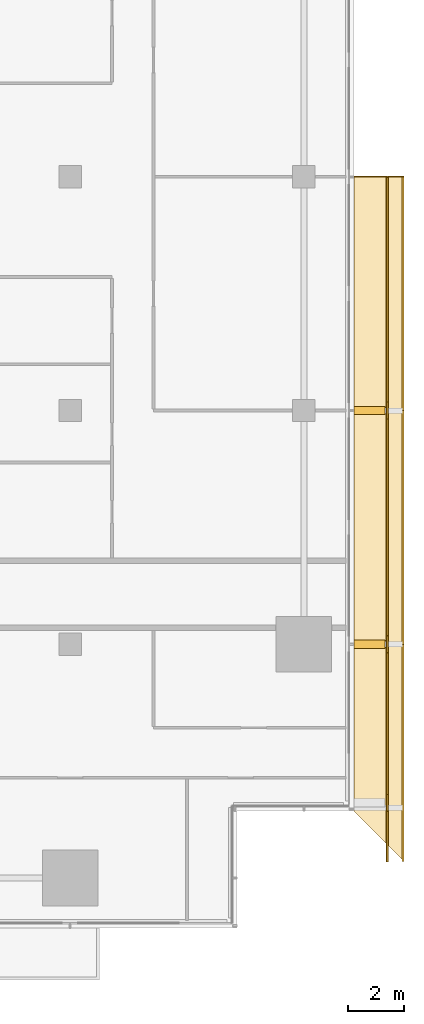
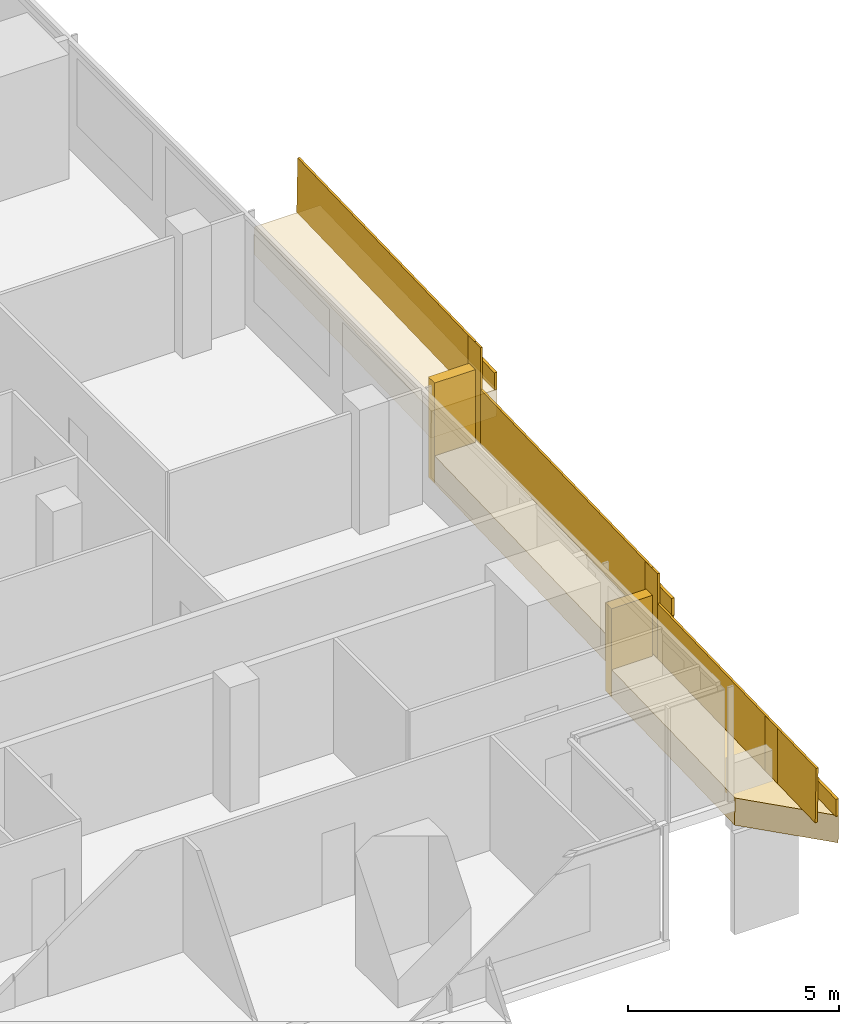
# One storey, part 27 of 27: 8 coverings, 6 railings.
"""IFC4 building model written with IfcOpenShell, lengths in metres."""

import ifcopenshell
import ifcopenshell.guid

model = None  # the IFC model being written
_history = None  # IfcOwnerHistory: only IFC2X3 demands one
_inside = {}  # id of a spatial element -> (the spatial element, [elements in it])
_under = {}  # id of a project, library or spatial element -> (it, [spatial elements below it])
_declared = {}  # id of a project -> (the project, [libraries it declares])
_typed = {}  # id of a type object -> (the type object, [elements of that type])
_made_of = {}  # id of a material, layer set ... -> (it, [elements and type objects made of it])


def new_model(schema):
    """Start an empty IFC model of exactly this schema.

    Asked for "IFC4X3", IfcOpenShell would pick the latest addendum, in which some entities
    have other attributes; the version numbers below select the first issue.
    IFC2X3 requires an IfcOwnerHistory on every rooted entity: one is made here for all.
    """
    global model, _history
    if schema == "IFC4X3":
        model = ifcopenshell.file(schema_version=(4, 3, 0, 0))
    else:
        model = ifcopenshell.file(schema=schema)
    _inside.clear()
    _under.clear()
    _declared.clear()
    _typed.clear()
    _made_of.clear()
    _history = None
    if model.schema == "IFC2X3":
        org = make("IfcOrganization", Name="unknown")
        user = make(
            "IfcPersonAndOrganization",
            ThePerson=make("IfcPerson", FamilyName="unknown"),
            TheOrganization=org,
        )
        app = make(
            "IfcApplication",
            ApplicationDeveloper=org,
            Version="unknown",
            ApplicationFullName="unknown",
            ApplicationIdentifier="unknown",
        )
        _history = make(
            "IfcOwnerHistory",
            OwningUser=user,
            OwningApplication=app,
            ChangeAction="ADDED",
            CreationDate=0,
        )
    return model


def make(cls, **values):
    """One entity of the class cls with the attributes given. An attribute that is None is left unset."""
    return model.create_entity(
        cls, **{name: value for name, value in values.items() if value is not None}
    )


def rooted(cls, **values):
    """An entity with a GlobalId (a new one), such as an element, a storey or a relation."""
    return make(cls, GlobalId=ifcopenshell.guid.new(), OwnerHistory=_history, **values)


def si_unit(unit_type, name, prefix=None):
    """IfcSIUnit, for example si_unit("LENGTHUNIT", "METRE", prefix="MILLI")."""
    return make("IfcSIUnit", UnitType=unit_type, Prefix=prefix, Name=name)


def assignment(units):
    """IfcUnitAssignment: the units of a project."""
    return None if units is None else make("IfcUnitAssignment", Units=units)


def point(xyz):
    """IfcCartesianPoint."""
    return None if xyz is None else make("IfcCartesianPoint", Coordinates=xyz)


def direction(xyz):
    """IfcDirection."""
    return None if xyz is None else make("IfcDirection", DirectionRatios=xyz)


def frame(location, z_axis=None, x_axis=None):
    """IfcAxis2Placement3D, a coordinate frame: its origin and axes. An axis left out is left unset."""
    return make(
        "IfcAxis2Placement3D",
        Location=point(location),
        Axis=direction(z_axis),
        RefDirection=direction(x_axis),
    )


def frame_2d(location, x_axis=None):
    """IfcAxis2Placement2D, a coordinate frame in the plane: its origin and x axis."""
    return make(
        "IfcAxis2Placement2D", Location=point(location), RefDirection=direction(x_axis)
    )


def origin():
    """The frame at (0, 0, 0) with its axes left unset."""
    return frame((0.0, 0.0, 0.0))


def origin_2d():
    """The frame at (0, 0) in the plane with its x axis left unset."""
    return frame_2d((0.0, 0.0))


def place(relative_to, where):
    """IfcLocalPlacement: puts the frame where relative to a parent placement (None: the world)."""
    return make(
        "IfcLocalPlacement", PlacementRelTo=relative_to, RelativePlacement=where
    )


def context(
    kind, dimensions, precision=None, world=None, true_north=None, identifier=None
):
    """IfcGeometricRepresentationContext, for example the 3D "Model" context."""
    return make(
        "IfcGeometricRepresentationContext",
        ContextIdentifier=identifier,
        ContextType=kind,
        CoordinateSpaceDimension=dimensions,
        Precision=precision,
        WorldCoordinateSystem=world,
        TrueNorth=true_north,
    )


def subcontext(parent, identifier, kind, view, scale=None):
    """IfcGeometricRepresentationSubContext, for example "Body" below "Model"."""
    return make(
        "IfcGeometricRepresentationSubContext",
        ContextIdentifier=identifier,
        ContextType=kind,
        ParentContext=parent,
        TargetScale=scale,
        TargetView=view,
    )


def project(units=None, contexts=None):
    """IfcProject with its units and contexts."""
    return rooted(
        "IfcProject",
        Name="project",
        RepresentationContexts=contexts,
        UnitsInContext=assignment(units),
    )


def spatial(cls, under=None, at=None, **own):
    """A site, building, storey or space (cls), placed at a placement, below another one or the project."""
    s = rooted(cls, ObjectPlacement=at, **own)
    if under is not None:
        _under.setdefault(under.id(), (under, []))[1].append(s)
    return s


def polyline(points):
    """IfcPolyline through the points."""
    return make("IfcPolyline", Points=[point(p) for p in points])


def profile(cls, at=None, kind="AREA", **sizes):
    """A parametric profile (cls). Its sizes go by their IFC names, for example OverallWidth=200.0."""
    return make(cls, ProfileType=kind, Position=at, **sizes)


def rectangle(**sizes):
    """IfcRectangleProfileDef."""
    return profile("IfcRectangleProfileDef", **sizes)


def outline(outer, holes=None, kind="AREA"):
    """IfcArbitraryClosedProfileDef: a profile drawn as a closed curve; with holes, ...WithVoids."""
    if holes is None:
        return make("IfcArbitraryClosedProfileDef", ProfileType=kind, OuterCurve=outer)
    return make(
        "IfcArbitraryProfileDefWithVoids",
        ProfileType=kind,
        OuterCurve=outer,
        InnerCurves=holes,
    )


def extrude(swept, where, along, depth):
    """IfcExtrudedAreaSolid: the profile swept, set in the frame where, extruded along a direction by depth."""
    return make(
        "IfcExtrudedAreaSolid",
        SweptArea=swept,
        Position=where,
        ExtrudedDirection=direction(along),
        Depth=depth,
    )


def shape(context_of_items, identifier, shape_type, items):
    """IfcShapeRepresentation: the items that make up one representation, for example the "Body"."""
    return make(
        "IfcShapeRepresentation",
        ContextOfItems=context_of_items,
        RepresentationIdentifier=identifier,
        RepresentationType=shape_type,
        Items=items,
    )


def material(Name=None, Category=None):
    """IfcMaterial."""
    return make("IfcMaterial", Name=Name, Category=Category)


def layer(
    of_material, thickness, ventilated=None, Name=None, Category=None, Priority=None
):
    """IfcMaterialLayer: one layer of a wall or slab, of a material (None: an air gap)."""
    return make(
        "IfcMaterialLayer",
        Material=of_material,
        LayerThickness=thickness,
        IsVentilated=ventilated,
        Name=Name,
        Category=Category,
        Priority=Priority,
    )


def layer_set(layers, Name=None):
    """IfcMaterialLayerSet."""
    return make("IfcMaterialLayerSet", MaterialLayers=layers, LayerSetName=Name)


def made_of(thing, what):
    """Note that an element or type object is made of a material, layer set ...; save() writes the relation."""
    if what is not None:
        _made_of.setdefault(what.id(), (what, []))[1].append(thing)
    return thing


def type_object(cls, material=None, **own):
    """A type object (cls), such as IfcWallType, which elements share."""
    return made_of(rooted(cls, **own), material)


def element(
    cls,
    number,
    at=None,
    inside=None,
    cuts=None,
    type_object=None,
    material=None,
    context=None,
    identifier="Body",
    shape_type=None,
    held_by="IfcProductDefinitionShape",
    body=None,
    shapes=None,
    **own,
):
    """One element of the class cls, such as IfcWall. Its Tag is "e" and its number.

    at: its placement. inside: the storey or other place that contains it. cuts: it is an
    opening in that element (IfcRelVoidsElement). A single representation is given by context,
    identifier, shape_type and body (its items); several are given by shapes. held_by: the class
    of the entity that holds the representations. save() writes the other relations.
    """
    e = rooted(cls, Tag="e%d" % number, ObjectPlacement=at, **own)
    if body is not None:
        shapes = [shape(context, identifier, shape_type, body)]
    if shapes is not None:
        e.Representation = make(held_by, Representations=shapes)
    if inside is not None:
        _inside.setdefault(inside.id(), (inside, []))[1].append(e)
    if cuts is not None:
        rooted(
            "IfcRelVoidsElement", RelatingBuildingElement=cuts, RelatedOpeningElement=e
        )
    if type_object is not None:
        _typed.setdefault(type_object.id(), (type_object, []))[1].append(e)
    return made_of(e, material)


def aggregate(whole, parts):
    """IfcRelAggregates: a whole, such as a stair, and the parts it consists of."""
    return rooted("IfcRelAggregates", RelatingObject=whole, RelatedObjects=parts)


def save(model, path):
    """Write the relations noted so far, then the file.

    IfcRelAggregates (storeys below a building ...), IfcRelContainedInSpatialStructure (elements
    in a storey), IfcRelDefinesByType, IfcRelAssociatesMaterial and IfcRelDeclares: one each for
    every whole, place, type object, material and project.
    """
    for whole, parts in _under.values():
        aggregate(whole, parts)
    for where, things in _inside.values():
        rooted(
            "IfcRelContainedInSpatialStructure",
            RelatedElements=things,
            RelatingStructure=where,
        )
    for kind, things in _typed.values():
        rooted("IfcRelDefinesByType", RelatedObjects=things, RelatingType=kind)
    for what, things in _made_of.values():
        rooted("IfcRelAssociatesMaterial", RelatedObjects=things, RelatingMaterial=what)
    for by, libraries in _declared.values():
        rooted("IfcRelDeclares", RelatingContext=by, RelatedDefinitions=libraries)
    model.write(path)


model = new_model("IFC4")

# Units and contexts
model_context = context("Model", 3, precision=1e-05, world=origin(), true_north=direction((0.0, 1.0)))
body_context = subcontext(model_context, "Body", "Model", "MODEL_VIEW")
ifc_project = project(units=[si_unit("LENGTHUNIT", "METRE"), si_unit("AREAUNIT", "SQUARE_METRE"), si_unit("VOLUMEUNIT", "CUBIC_METRE"), si_unit("PLANEANGLEUNIT", "RADIAN"), si_unit("MASSUNIT", "GRAM", prefix="KILO")], contexts=[model_context])

# Site, building, storey
site_placement = place(None, origin())
site = spatial("IfcSite", under=ifc_project, at=site_placement, CompositionType="ELEMENT")
building_placement = place(site_placement, origin())
building = spatial("IfcBuilding", under=site, at=building_placement, Name="Saffron Gate Tower", CompositionType="ELEMENT")
storey_placement = place(building_placement, frame((0.0, 0.0, 109.64990234375)))
storey = spatial("IfcBuildingStorey", under=building, at=storey_placement, Name="L25", CompositionType="ELEMENT", Elevation=109.64990234375)

# Coverings
ifc_material = material(Name="Timber, thermally modified ash", Category="wood")
ifc_layer_1 = layer(ifc_material, 0.800048828125)
ifc_layer_set_1 = layer_set([ifc_layer_1], Name="LD1 ledge timber")
covering_type_1 = type_object("IfcCoveringType", Name="LD1 ledge timber", PredefinedType="CLADDING", material=ifc_layer_set_1)
covering_1_placement = place(storey_placement, frame((127.199951171875, 34.199951171875, 0.099365234375), z_axis=(3.5027307e-05, -0.028807146299, 0.99958498743), x_axis=(3.68e-10, 0.999584988043, 0.028807146316)))
element("IfcCovering", 1, at=covering_1_placement, inside=storey, type_object=covering_type_1, Name="LEDGE", PredefinedType="CLADDING", context=body_context, shape_type="SweptSolid", body=[
    extrude(outline(polyline([(0.0, 0.0), (6.0024892885105, 2.541098841762901e-21), (6.002489289172793, -1.8000488270207489), (-1.800799813548424, -1.8000488321003227), (0.0, 0.0)])), origin(), (0.0, 0.0, -1.0), 0.800048828125),
])
covering_2_placement = place(storey_placement, frame((127.199951171875, 40.199951171875, 1.129638671875), z_axis=(0.0, -0.028790339263, 0.999585472266), x_axis=(0.0, 0.999585472266, 0.028790339263)))
element("IfcCovering", 2, at=covering_2_placement, inside=storey, type_object=covering_type_1, Name="LEDGE", PredefinedType="CLADDING", context=body_context, shape_type="SweptSolid", body=[
    extrude(outline(polyline([(0.0, 0.0), (8.403630022085892, 0.0), (8.403630022085892, -1.800048828125), (0.0, -1.800048828125), (0.0, 0.0)])), origin(), (0.0, 0.0, -1.0), 0.800048828125),
])
covering_3_placement = place(storey_placement, frame((127.199951171875, 48.60009765625, 2.57177734375), z_axis=(0.0, -0.028791175352, 0.999585448184), x_axis=(0.0, 0.999585448184, 0.028791175352)))
element("IfcCovering", 3, at=covering_3_placement, inside=storey, type_object=covering_type_1, Name="LEDGE", PredefinedType="CLADDING", context=body_context, shape_type="SweptSolid", body=[
    extrude(outline(polyline([(0.0, 0.0), (8.403385982666892, 0.0), (8.403385982666892, -1.800048828125), (0.0, -1.800048828125), (0.0, 0.0)])), origin(), (0.0, 0.0, -1.0), 0.800048828125),
])
ifc_layer_2 = layer(ifc_material, 0.080078125)
ifc_layer_set_2 = layer_set([ifc_layer_2], Name="LD2 ledge planter trough")
covering_type_2 = type_object("IfcCoveringType", Name="LD2 ledge planter trough", PredefinedType="CLADDING", material=ifc_layer_set_2)
covering_4_placement = place(storey_placement, frame((129.0, 32.39990234375, 0.04736328125), z_axis=(1.0, 0.0, 0.0), x_axis=(0.0, 0.999584755248, 0.028815222999)))
element("IfcCovering", 4, at=covering_4_placement, inside=storey, type_object=covering_type_2, Name="LEDGE planter trough", PredefinedType="CLADDING", context=body_context, shape_type="SweptSolid", body=[
    extrude(outline(polyline([(0.0, 0.0), (7.803289102975944, 0.0), (7.8176967144752565, 0.4997923776238338), (0.014407611499312996, 0.4997923776238338), (0.0, 0.0)])), origin(), (0.0, 0.0, -1.0), 0.080078125),
])
covering_5_placement = place(storey_placement, frame((129.0, 40.199951171875, 1.129638671875), z_axis=(1.0, 0.0, 0.0), x_axis=(0.0, 0.999585472266, 0.028790339263)))
element("IfcCovering", 5, at=covering_5_placement, inside=storey, type_object=covering_type_2, Name="LEDGE planter trough", PredefinedType="CLADDING", context=body_context, shape_type="SweptSolid", body=[
    extrude(outline(polyline([(0.0, 0.0), (8.403630022085892, 0.0), (8.418025191717298, 0.4997927361329725), (0.014395169631405694, 0.4997927361329725), (0.0, 0.0)])), origin(), (0.0, 0.0, -1.0), 0.080078125),
])
covering_6_placement = place(storey_placement, frame((129.0, 48.60009765625, 2.57177734375), z_axis=(1.0, 0.0, 0.0), x_axis=(0.0, 0.999585448184, 0.028791175352)))
element("IfcCovering", 6, at=covering_6_placement, inside=storey, type_object=covering_type_2, Name="LEDGE planter trough", PredefinedType="CLADDING", context=body_context, shape_type="SweptSolid", body=[
    extrude(outline(polyline([(0.0, 0.0), (8.403385982666892, 0.0), (8.417781570342743, 0.49979272409216496), (0.014395587675851172, 0.4997927240921649), (0.0, 0.0)])), origin(), (0.0, 0.0, -1.0), 0.080078125),
])
ifc_layer_3 = layer(ifc_material, 0.300048828125)
ifc_layer_set_3 = layer_set([ifc_layer_3], Name="LD3 ledge riser fin")
covering_type_3 = type_object("IfcCoveringType", Name="LD3 ledge riser fin", PredefinedType="CLADDING", material=ifc_layer_set_3)
covering_7_placement = place(storey_placement, frame((127.760009765625, 40.199951171875, -0.52783203125), z_axis=(0.0, 0.0, 1.0), x_axis=(0.0, 1.0, 0.0)))
element("IfcCovering", 7, at=covering_7_placement, inside=storey, type_object=covering_type_3, Name="LEDGE riser fin", PredefinedType="CLADDING", context=body_context, shape_type="SweptSolid", body=[
    extrude(rectangle(XDim=0.300048828125, YDim=1.1201171875, at=origin_2d()), origin(), (0.0, 0.0, 1.0), 2.557373046875),
])
covering_8_placement = place(storey_placement, frame((127.760009765625, 48.60009765625, 0.571533203125), z_axis=(0.0, 0.0, 1.0), x_axis=(0.0, 1.0, 0.0)))
element("IfcCovering", 8, at=covering_8_placement, inside=storey, type_object=covering_type_3, Name="LEDGE riser fin", PredefinedType="CLADDING", context=body_context, shape_type="SweptSolid", body=[
    extrude(rectangle(XDim=0.300048828125, YDim=1.1201171875, at=origin_2d()), origin(), (0.0, 0.0, 1.0), 2.900390625),
])

# Railings
railing_type = type_object("IfcRailingType", Name="LG1 ledge balustrade", PredefinedType="BALUSTRADE", material=ifc_material)
railing_1_placement = place(storey_placement, frame((128.39990234375, 32.39990234375, 0.04736328125)))
element("IfcRailing", 9, at=railing_1_placement, inside=storey, type_object=railing_type, Name="LEDGE BALUSTRADE", PredefinedType="BALUSTRADE", context=body_context, shape_type="SweptSolid", body=[
    extrude(rectangle(XDim=0.06005859375, YDim=1.60009765625, at=origin_2d()), frame((0.0, 0.0, 0.800048828125), z_axis=(0.0, 0.999584755248, 0.028815222999), x_axis=(-1.0, 0.0, 0.0)), (0.0, 0.0, 1.0), 7.80322265625),
])
railing_2_placement = place(storey_placement, frame((128.39990234375, 34.199951171875, -0.157958984375)))
element("IfcRailing", 10, at=railing_2_placement, inside=storey, type_object=railing_type, Name="LEDGE BALUSTRADE", PredefinedType="BALUSTRADE", context=body_context, shape_type="SweptSolid", body=[
    extrude(rectangle(XDim=0.06005859375, YDim=1.857177734375, at=origin_2d()), frame((0.0, 0.0, 0.9287109375), z_axis=(0.0, 1.0, 0.0), x_axis=(-1.0, 0.0, 0.0)), (0.0, 0.0, 1.0), 0.60009765625),
])
railing_3_placement = place(storey_placement, frame((128.39990234375, 40.199951171875, 1.129638671875)))
element("IfcRailing", 11, at=railing_3_placement, inside=storey, type_object=railing_type, Name="LEDGE BALUSTRADE", PredefinedType="BALUSTRADE", context=body_context, shape_type="SweptSolid", body=[
    extrude(rectangle(XDim=0.06005859375, YDim=1.60009765625, at=origin_2d()), frame((0.0, 0.0, 0.800048828125), z_axis=(0.0, 0.999585472266, 0.028790339263), x_axis=(-1.0, 0.0, 0.0)), (0.0, 0.0, 1.0), 8.403564453125),
])
railing_4_placement = place(storey_placement, frame((128.39990234375, 39.89990234375, 0.272216796875)))
element("IfcRailing", 12, at=railing_4_placement, inside=storey, type_object=railing_type, Name="LEDGE BALUSTRADE", PredefinedType="BALUSTRADE", context=body_context, shape_type="SweptSolid", body=[
    extrude(rectangle(XDim=0.06005859375, YDim=2.45751953125, at=origin_2d()), frame((0.0, 0.0, 1.228759765625), z_axis=(0.0, 1.0, 0.0), x_axis=(-1.0, 0.0, 0.0)), (0.0, 0.0, 1.0), 0.60009765625),
])
railing_5_placement = place(storey_placement, frame((128.39990234375, 48.60009765625, 2.57177734375)))
element("IfcRailing", 13, at=railing_5_placement, inside=storey, type_object=railing_type, Name="LEDGE BALUSTRADE", PredefinedType="BALUSTRADE", context=body_context, shape_type="SweptSolid", body=[
    extrude(rectangle(XDim=0.06005859375, YDim=1.60009765625, at=origin_2d()), frame((0.0, 0.0, 0.800048828125), z_axis=(0.0, 0.999585448184, 0.028791175352), x_axis=(-1.0, 0.0, 0.0)), (0.0, 0.0, 1.0), 8.4033203125),
])
railing_6_placement = place(storey_placement, frame((128.39990234375, 48.300048828125, 1.37158203125)))
element("IfcRailing", 14, at=railing_6_placement, inside=storey, type_object=railing_type, Name="LEDGE BALUSTRADE", PredefinedType="BALUSTRADE", context=body_context, shape_type="SweptSolid", body=[
    extrude(rectangle(XDim=0.06005859375, YDim=2.80029296875, at=origin_2d()), frame((0.0, 0.0, 1.400146484375), z_axis=(0.0, 1.0, 0.0), x_axis=(-1.0, 0.0, 0.0)), (0.0, 0.0, 1.0), 0.599853515625),
])

save(model, "model.ifc")
